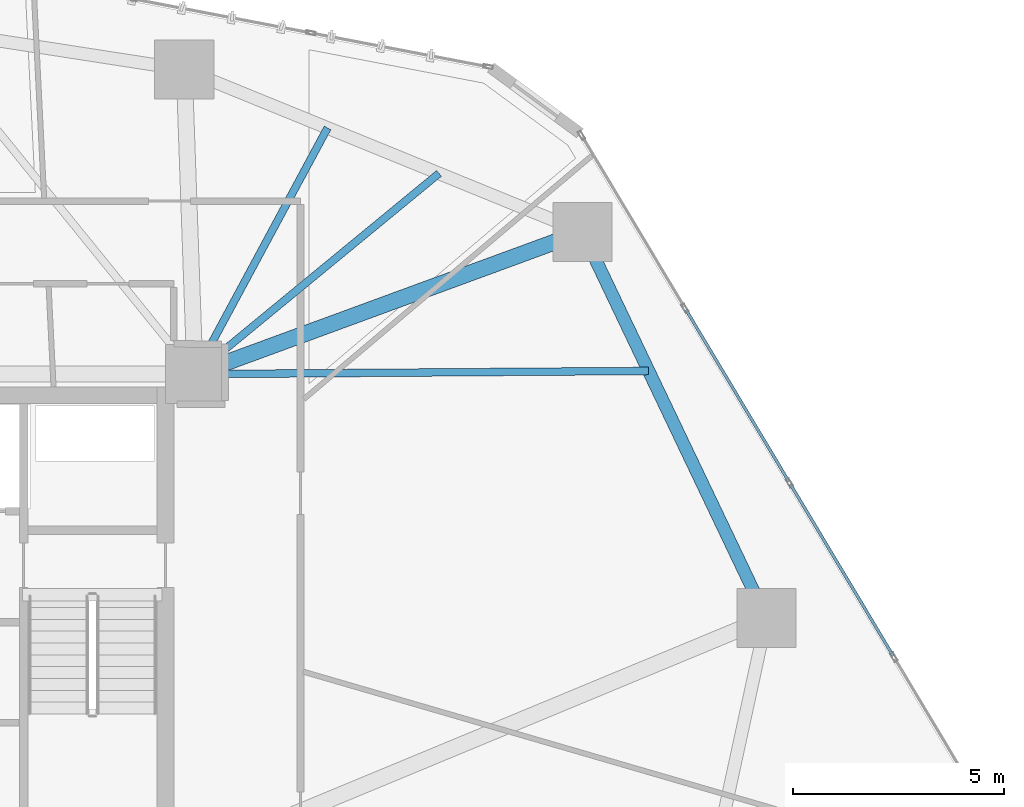
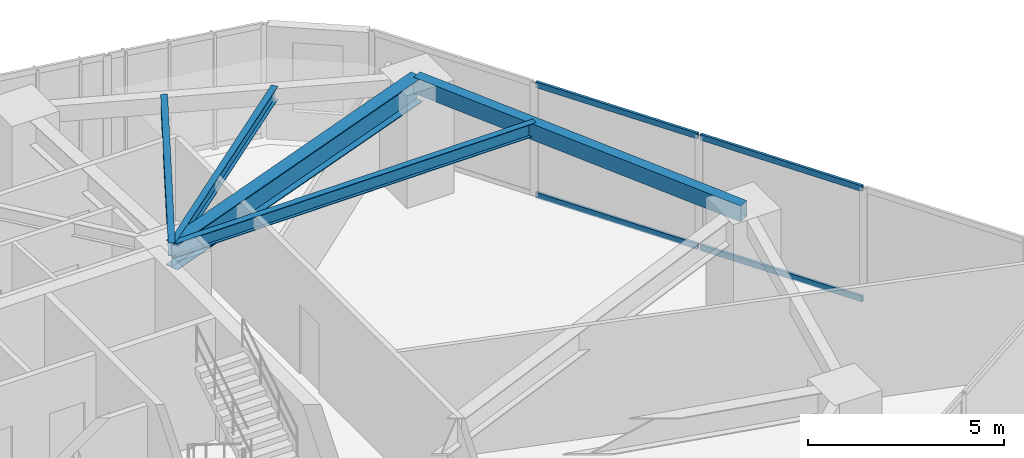
# One storey, part 11 of 20: 5 beams, 4 members, 1 element without a shape of its own.
"""IFC4 building model written with IfcOpenShell, lengths in metres."""

from ifc_helpers import new_model, si_unit, direction, frame, origin, origin_2d, place, context, subcontext, project, spatial, hollow_rectangle, i_section, extrude, source, transform, mapped, material, layer, layer_set, material_profile, profile_set, type_object, type_shapes, element, aggregate, save


model = new_model("IFC4")

# Units and contexts
model_context = context("Model", 3, precision=1e-05, world=origin(), true_north=direction((0.0, 1.0)))
body_context = subcontext(model_context, "Body", "Model", "MODEL_VIEW")
ifc_project = project(units=[si_unit("LENGTHUNIT", "METRE"), si_unit("AREAUNIT", "SQUARE_METRE"), si_unit("VOLUMEUNIT", "CUBIC_METRE"), si_unit("PLANEANGLEUNIT", "RADIAN"), si_unit("MASSUNIT", "GRAM", prefix="KILO")], contexts=[model_context])

# Site, building, storey
site_placement = place(None, origin())
site = spatial("IfcSite", under=ifc_project, at=site_placement, CompositionType="ELEMENT")
building_placement = place(site_placement, origin())
building = spatial("IfcBuilding", under=site, at=building_placement, Name="Talar Marvaseh", CompositionType="ELEMENT")
storey_placement = place(building_placement, frame((0.0, 0.0, 58.199951171875)))
storey = spatial("IfcBuildingStorey", under=building, at=storey_placement, Name="L14", CompositionType="ELEMENT", Elevation=58.199951171875)

# Beams
ifc_material_1 = material(Name="Steel S355", Category="steel")
ifc_material_profile_1 = material_profile(ifc_material_1, hollow_rectangle(XDim=0.300048828125, YDim=0.5, WallThickness=0.02001953125, at=origin_2d()), Name="RHS500x300x20")
ifc_profile_set_1 = profile_set([ifc_material_profile_1], Name="Steel S355")
beam_type_1 = type_object("IfcBeamType", Name="Zone 1 Perimeter Spandrel Beam RHS500x300x20", PredefinedType="SPANDREL", material=ifc_profile_set_1)
beam_1_placement = place(storey_placement, frame((42.47705078125, 40.26904296875, 3.27001953125), z_axis=(0.430480372911, -0.902599938255, 0.0), x_axis=(0.902599938255, 0.430480372911, 0.0)))
element("IfcBeam", 1, at=beam_1_placement, inside=storey, type_object=beam_type_1, Name="L14 Zone 1 Perimeter Spandrel Beam RHS500x300x20", PredefinedType="SPANDREL", context=body_context, shape_type="SweptSolid", body=[
    extrude(hollow_rectangle(XDim=0.300048828125, YDim=0.5, WallThickness=0.02001953125, at=origin_2d()), origin(), (0.0, 0.0, 1.0), 10.137451171875),
])
ifc_material_profile_2 = material_profile(ifc_material_1, i_section(OverallWidth=0.381103515625, OverallDepth=0.77294921875, WebThickness=0.0166015625, FlangeThickness=0.027099609375, at=origin_2d()), Name="W760x257")
ifc_profile_set_2 = profile_set([ifc_material_profile_2], Name="Steel S355")
beam_type_2 = type_object("IfcBeamType", Name="Zone 1 Radial Floor Girder W760x257", PredefinedType="BEAM", material=ifc_profile_set_2)
beam_2_placement = place(storey_placement, frame((42.47705078125, 40.26904296875, 3.133544921875), z_axis=(-0.938736057616, -0.344636930887, 0.0), x_axis=(0.344636930887, -0.938736057616, 0.0)))
element("IfcBeam", 2, at=beam_2_placement, inside=storey, type_object=beam_type_2, Name="L14 Zone 1 Radial Floor Girder W760x257", PredefinedType="BEAM", context=body_context, shape_type="SweptSolid", body=[
    extrude(i_section(OverallWidth=0.381103515625, OverallDepth=0.77294921875, WebThickness=0.0166015625, FlangeThickness=0.027099609375, at=origin_2d()), origin(), (0.0, 0.0, 1.0), 9.77587890625),
])
ifc_material_profile_3 = material_profile(ifc_material_1, i_section(OverallWidth=0.179931640625, OverallDepth=0.4130859375, WebThickness=0.009765625, FlangeThickness=0.01611328125, at=origin_2d()), Name="W410x75")
ifc_profile_set_3 = profile_set([ifc_material_profile_3], Name="Steel S355")
beam_type_3 = type_object("IfcBeamType", Name="Zone 1 Secondary Floor Joist W410x75", PredefinedType="JOIST", material=ifc_profile_set_3)
beam_3_placement = place(storey_placement, frame((44.048095703125, 36.97509765625, 3.3134765625), z_axis=(-0.999975527604, -0.006996012686, 0.0), x_axis=(0.006996012686, -0.999975527604, 0.0)))
element("IfcBeam", 3, at=beam_3_placement, inside=storey, type_object=beam_type_3, Name="L14 Zone 1 Secondary Floor Joist W410x75", PredefinedType="JOIST", context=body_context, shape_type="SweptSolid", body=[
    extrude(i_section(OverallWidth=0.179931640625, OverallDepth=0.4130859375, WebThickness=0.009765625, FlangeThickness=0.01611328125, at=origin_2d()), origin(), (0.0, 0.0, 1.0), 10.748291015625),
])
beam_4_placement = place(storey_placement, frame((36.441162109375, 42.732421875, 3.3134765625), z_axis=(-0.474161357627, -0.880437963137, 0.0), x_axis=(0.880437963137, -0.474161357627, 0.0)))
element("IfcBeam", 4, at=beam_4_placement, inside=storey, type_object=beam_type_3, Name="L14 Zone 1 Secondary Floor Joist W410x75", PredefinedType="JOIST", context=body_context, shape_type="SweptSolid", body=[
    extrude(i_section(OverallWidth=0.179931640625, OverallDepth=0.4130859375, WebThickness=0.009765625, FlangeThickness=0.01611328125, at=origin_2d()), origin(), (0.0, 0.0, 1.0), 6.62451171875),
])
beam_5_placement = place(storey_placement, frame((39.081787109375, 41.654541015625, 3.3134765625), z_axis=(-0.772375351123, -0.635166369526, 0.0), x_axis=(0.635166369526, -0.772375351123, 0.0)))
element("IfcBeam", 5, at=beam_5_placement, inside=storey, type_object=beam_type_3, Name="L14 Zone 1 Secondary Floor Joist W410x75", PredefinedType="JOIST", context=body_context, shape_type="SweptSolid", body=[
    extrude(i_section(OverallWidth=0.179931640625, OverallDepth=0.4130859375, WebThickness=0.009765625, FlangeThickness=0.01611328125, at=origin_2d()), origin(), (0.0, 0.0, 1.0), 7.485595703125),
])

# Curtain wall, members
ifc_material_2 = material(Name="Architectural Aluminium", Category="aluminium")
ifc_layer = layer(ifc_material_2, 0.219970703125)
ifc_layer_set = layer_set([ifc_layer], Name="Architectural Aluminium")
curtain_wall_type = type_object("IfcCurtainWallType", Name="Unitised Low-E Museum Curtain Wall Z1", PredefinedType="NOTDEFINED", material=ifc_layer_set)
curtain_wall_placement = place(storey_placement, origin())
curtain_wall = element("IfcCurtainWall", 6, at=curtain_wall_placement, inside=storey, type_object=curtain_wall_type, Name="L14 Unitised Low-E Museum Curtain Wall Z1", PredefinedType="NOTDEFINED")
ifc_material_profile_4 = material_profile(ifc_material_2, hollow_rectangle(XDim=0.074951171875, YDim=0.179931640625, WallThickness=0.0048828125, at=origin_2d()), Name="RHS180x75x5")
ifc_profile_set_4 = profile_set([ifc_material_profile_4], Name="Architectural Aluminium")
member_type = type_object("IfcMemberType", Name="Unitised Curtain Wall Transom RHS180x75x5", PredefinedType="USERDEFINED", material=ifc_profile_set_4)
shared_shape = source(origin(), body_context, "Body", "SweptSolid", [
    extrude(hollow_rectangle(XDim=0.074951171875, YDim=0.179931640625, WallThickness=0.0048828125, at=origin_2d()), origin(), (0.0, 0.0, 1.0), 4.736572265625),
])
type_shapes(member_type, [shared_shape])
member_1_placement = place(storey_placement, frame((44.932861328125, 38.421875, 0.03759765625), z_axis=(0.513638953756, -0.858006424909, 0.0), x_axis=(0.858006424909, 0.513638953756, 0.0)))
member_1 = element("IfcMember", 7, at=member_1_placement, type_object=member_type, Name="CW-Z1 transom 2.1", ObjectType="TRANSOM", PredefinedType="USERDEFINED", context=body_context, shape_type="MappedRepresentation", body=[
    mapped(shared_shape, transform((0.0, 0.0, 0.0), x_axis=(1.0, 0.0, 0.0), y_axis=(0.0, 1.0, 0.0), z_axis=(0.0, 0.0, 1.0), scale=1.0)),
])
member_2_placement = place(storey_placement, frame((44.932861328125, 38.421875, 3.482666015625), z_axis=(0.513638953756, -0.858006424909, 0.0), x_axis=(0.858006424909, 0.513638953756, 0.0)))
member_2 = element("IfcMember", 8, at=member_2_placement, type_object=member_type, Name="CW-Z1 transom 2.2", ObjectType="TRANSOM", PredefinedType="USERDEFINED", context=body_context, shape_type="MappedRepresentation", body=[
    mapped(shared_shape, transform((0.0, 0.0, 0.0), x_axis=(1.0, 0.0, 0.0), y_axis=(0.0, 1.0, 0.0), z_axis=(0.0, 0.0, 1.0), scale=1.0)),
])
member_3_placement = place(storey_placement, frame((47.40673828125, 34.2890625, 0.03759765625), z_axis=(0.513638953756, -0.858006424909, 0.0), x_axis=(0.858006424909, 0.513638953756, 0.0)))
member_3 = element("IfcMember", 9, at=member_3_placement, type_object=member_type, Name="CW-Z1 transom 3.1", ObjectType="TRANSOM", PredefinedType="USERDEFINED", context=body_context, shape_type="MappedRepresentation", body=[
    mapped(shared_shape, transform((0.0, 0.0, 0.0), x_axis=(1.0, 0.0, 0.0), y_axis=(0.0, 1.0, 0.0), z_axis=(0.0, 0.0, 1.0), scale=1.0)),
])
member_4_placement = place(storey_placement, frame((47.40673828125, 34.2890625, 3.482666015625), z_axis=(0.513638953756, -0.858006424909, 0.0), x_axis=(0.858006424909, 0.513638953756, 0.0)))
member_4 = element("IfcMember", 10, at=member_4_placement, type_object=member_type, Name="CW-Z1 transom 3.2", ObjectType="TRANSOM", PredefinedType="USERDEFINED", context=body_context, shape_type="MappedRepresentation", body=[
    mapped(shared_shape, transform((0.0, 0.0, 0.0), x_axis=(1.0, 0.0, 0.0), y_axis=(0.0, 1.0, 0.0), z_axis=(0.0, 0.0, 1.0), scale=1.0)),
])
aggregate(curtain_wall, [member_1, member_2, member_3, member_4])

save(model, "model.ifc")
